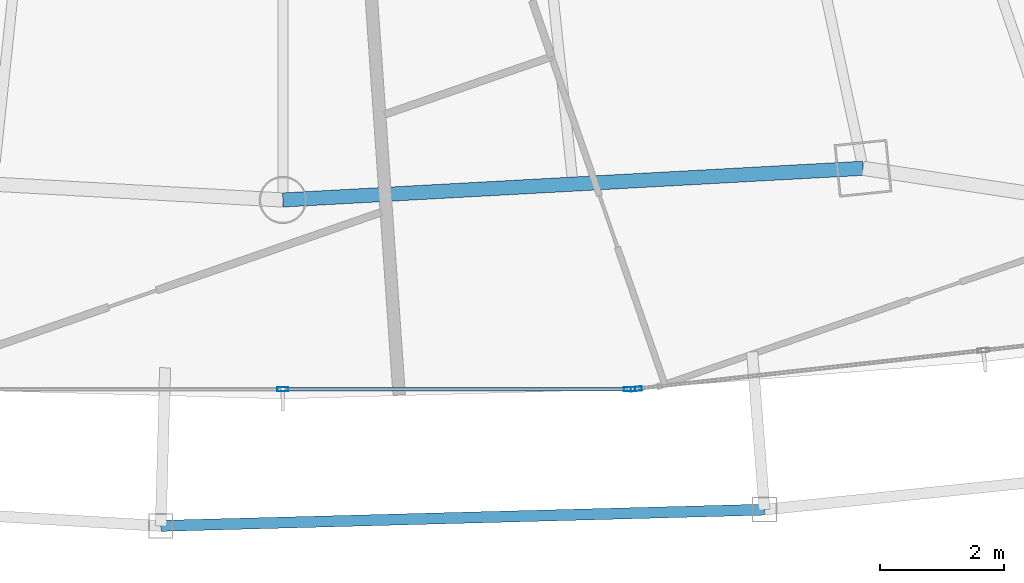
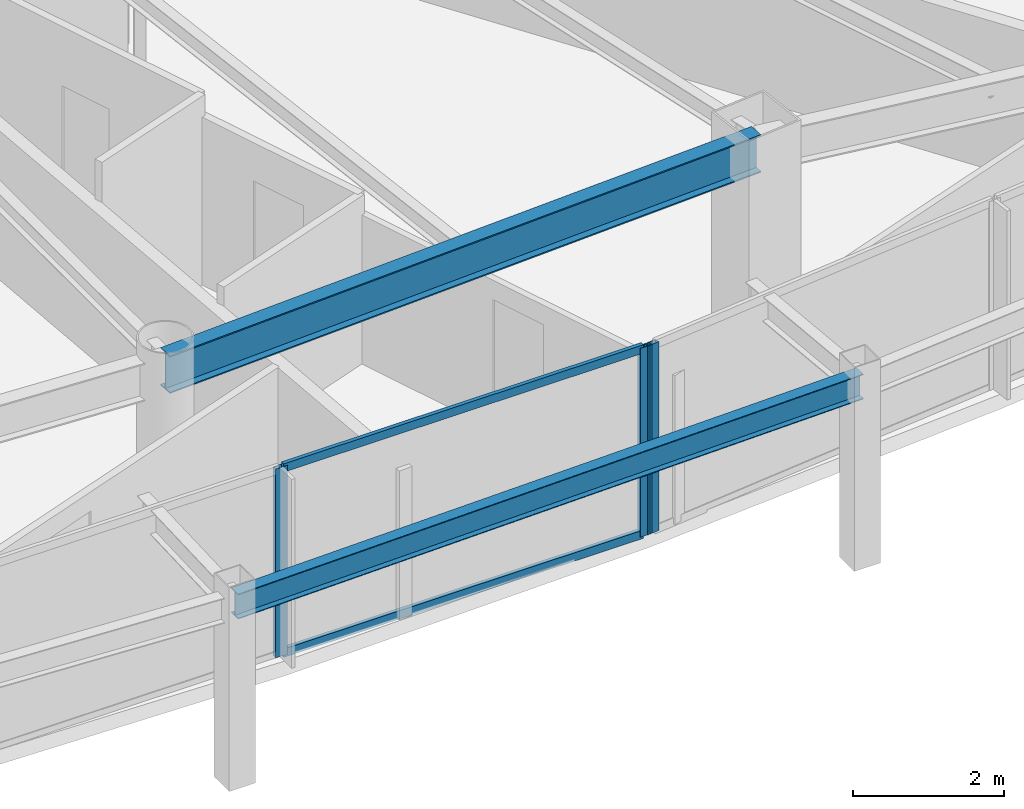
# One storey, part 8 of 29: 5 members, 2 beams, 2 elements without a shape of their own.
"""IFC4 building model written with IfcOpenShell, lengths in metres."""

from ifc_helpers import new_model, si_unit, direction, frame, origin, origin_2d, place, context, subcontext, project, spatial, hollow_rectangle, i_section, extrude, material, layer, layer_set, material_profile, profile_set, type_object, element, aggregate, save


model = new_model("IFC4")

# Units and contexts
model_context = context("Model", 3, precision=1e-05, world=origin(), true_north=direction((0.0, 1.0)))
body_context = subcontext(model_context, "Body", "Model", "MODEL_VIEW")
ifc_project = project(units=[si_unit("LENGTHUNIT", "METRE"), si_unit("AREAUNIT", "SQUARE_METRE"), si_unit("VOLUMEUNIT", "CUBIC_METRE"), si_unit("PLANEANGLEUNIT", "RADIAN"), si_unit("MASSUNIT", "GRAM", prefix="KILO")], contexts=[model_context])

# Site, building, storey
site_placement = place(None, origin())
site = spatial("IfcSite", under=ifc_project, at=site_placement, CompositionType="ELEMENT")
building_placement = place(site_placement, origin())
building = spatial("IfcBuilding", under=site, at=building_placement, Name="Orvanel Arch Residences", CompositionType="ELEMENT")
storey_placement = place(building_placement, frame((0.0, 0.0, 160.550048828125)))
storey = spatial("IfcBuildingStorey", under=building, at=storey_placement, Name="L45", CompositionType="ELEMENT", Elevation=160.550048828125)

# Curtain wall, members
ifc_material_1 = material(Name="Bronze-anodised aluminium AA6063-T6", Category="aluminium")
ifc_layer = layer(ifc_material_1, 0.179931640625)
ifc_layer_set = layer_set([ifc_layer], Name="Bronze-anodised aluminium AA6063-T6")
curtain_wall_type = type_object("IfcCurtainWallType", Name="CW3-MID-SYS", PredefinedType="NOTDEFINED", material=ifc_layer_set)
curtain_wall_1_placement = place(storey_placement, origin())
curtain_wall_1 = element("IfcCurtainWall", 1, at=curtain_wall_1_placement, inside=storey, type_object=curtain_wall_type, Name="L45 CW3-MID-SYS Unitised Curtain Wall", PredefinedType="NOTDEFINED")
ifc_material_profile_1 = material_profile(ifc_material_1, hollow_rectangle(XDim=0.070068359375, YDim=0.179931640625, WallThickness=0.00439453125, at=origin_2d()), Name="ALU180x70x4.5")
ifc_profile_set_1 = profile_set([ifc_material_profile_1], Name="Bronze-anodised aluminium AA6063-T6")
member_type_1 = type_object("IfcMemberType", Name="MUL-180x70", PredefinedType="MULLION", material=ifc_profile_set_1)
member_1_placement = place(storey_placement, frame((33.0, 3.79296875, 0.0), z_axis=(0.0, 0.0, 1.0), x_axis=(0.0, 1.0, 0.0)))
member_1 = element("IfcMember", 2, at=member_1_placement, type_object=member_type_1, Name="CW-S3 mullion 2", PredefinedType="MULLION", context=body_context, shape_type="SweptSolid", body=[
    extrude(hollow_rectangle(XDim=0.070068359375, YDim=0.179931640625, WallThickness=0.00439453125, at=origin_2d()), origin(), (0.0, 0.0, 1.0), 3.06005859375),
])
member_2_placement = place(storey_placement, frame((38.5859375, 3.79296875, 0.0), z_axis=(0.0, 0.0, 1.0), x_axis=(0.0, 1.0, 0.0)))
member_2 = element("IfcMember", 3, at=member_2_placement, type_object=member_type_1, Name="CW-S3 mullion 3", PredefinedType="MULLION", context=body_context, shape_type="SweptSolid", body=[
    extrude(hollow_rectangle(XDim=0.070068359375, YDim=0.179931640625, WallThickness=0.00439453125, at=origin_2d()), origin(), (0.0, 0.0, 1.0), 3.06005859375),
])

# Curtain wall, member
curtain_wall_2_placement = place(storey_placement, origin())
curtain_wall_2 = element("IfcCurtainWall", 4, at=curtain_wall_2_placement, inside=storey, type_object=curtain_wall_type, Name="L45 CW3-MID-SYS Unitised Curtain Wall", PredefinedType="NOTDEFINED")
member_3_placement = place(storey_placement, frame((38.69580078125, 3.798828125, 0.0), z_axis=(0.0, 0.0, 1.0), x_axis=(-0.11060596361, 0.993864337228, 0.0)))
member_3 = element("IfcMember", 5, at=member_3_placement, type_object=member_type_1, Name="CW-S3 mullion 1", PredefinedType="MULLION", context=body_context, shape_type="SweptSolid", body=[
    extrude(hollow_rectangle(XDim=0.070068359375, YDim=0.179931640625, WallThickness=0.00439453125, at=origin_2d()), origin(), (0.0, 0.0, 1.0), 3.06005859375),
])
aggregate(curtain_wall_2, [member_3])

# Beams
ifc_material_2 = material(Name="Structural steel AS/NZS 3679.1 Grade 300 (300 MPa)", Category="steel")
ifc_material_profile_2 = material_profile(ifc_material_2, i_section(OverallWidth=0.177978515625, OverallDepth=0.406005859375, WebThickness=0.0078125, FlangeThickness=0.0126953125, at=origin_2d()), Name="410UB59.7")
ifc_profile_set_2 = profile_set([ifc_material_profile_2], Name="Structural steel AS/NZS 3679.1 Grade 300 (300 MPa)")
beam_type_1 = type_object("IfcBeamType", Name="OB-410UB-EXT", PredefinedType="SPANDREL", material=ifc_profile_set_2)
beam_1_placement = place(storey_placement, frame((31.031005859375, 1.591064453125, 2.85693359375), z_axis=(0.999637838345, 0.026910818419, 0.0), x_axis=(-0.026910818419, 0.999637838345, 0.0)))
element("IfcBeam", 6, at=beam_1_placement, inside=storey, type_object=beam_type_1, Name="L45 Outer Perimeter Floor Ring Beam 06", PredefinedType="SPANDREL", context=body_context, shape_type="SweptSolid", body=[
    extrude(i_section(OverallWidth=0.177978515625, OverallDepth=0.406005859375, WebThickness=0.0078125, FlangeThickness=0.0126953125, at=origin_2d()), origin(), (0.0, 0.0, 1.0), 9.734375),
])
ifc_material_profile_3 = material_profile(ifc_material_2, i_section(OverallWidth=0.22900390625, OverallDepth=0.612060546875, WebThickness=0.011962890625, FlangeThickness=0.01953125, at=origin_2d()), Name="610UB125")
ifc_profile_set_3 = profile_set([ifc_material_profile_3], Name="Structural steel AS/NZS 3679.1 Grade 300 (300 MPa)")
beam_type_2 = type_object("IfcBeamType", Name="SP-610UB", PredefinedType="SPANDREL", material=ifc_profile_set_3)
beam_2_placement = place(storey_placement, frame((33.0, 6.843994140625, 2.75390625), z_axis=(0.998510315598, 0.054563262768, 0.0), x_axis=(-0.054563262768, 0.998510315598, 0.0)))
element("IfcBeam", 7, at=beam_2_placement, inside=storey, type_object=beam_type_2, Name="L45 Perimeter Spandrel Beam 06", PredefinedType="SPANDREL", context=body_context, shape_type="SweptSolid", body=[
    extrude(i_section(OverallWidth=0.22900390625, OverallDepth=0.612060546875, WebThickness=0.011962890625, FlangeThickness=0.01953125, at=origin_2d()), origin(), (0.0, 0.0, 1.0), 9.364990234375),
])

# Member
ifc_material_profile_4 = material_profile(ifc_material_1, hollow_rectangle(XDim=0.06005859375, YDim=0.135009765625, WallThickness=0.00390625, at=origin_2d()), Name="ALU135x60x4")
ifc_profile_set_4 = profile_set([ifc_material_profile_4], Name="Bronze-anodised aluminium AA6063-T6")
member_type_2 = type_object("IfcMemberType", Name="TRN-135x60", PredefinedType="USERDEFINED", material=ifc_profile_set_4)
member_4_placement = place(storey_placement, frame((33.034912109375, 3.79296875, 0.030029296875), z_axis=(1.0, 0.0, 0.0), x_axis=(0.0, 1.0, 0.0)))
member_4 = element("IfcMember", 8, at=member_4_placement, type_object=member_type_2, Name="CW-S3 transom 2.1", ObjectType="TRANSOM", PredefinedType="USERDEFINED", context=body_context, shape_type="SweptSolid", body=[
    extrude(hollow_rectangle(XDim=0.06005859375, YDim=0.135009765625, WallThickness=0.00390625, at=origin_2d()), origin(), (0.0, 0.0, 1.0), 5.51611328125),
])

member_5_placement = place(storey_placement, frame((33.034912109375, 3.79296875, 3.030029296875), z_axis=(1.0, 0.0, 0.0), x_axis=(0.0, 1.0, 0.0)))
member_5 = element("IfcMember", 9, at=member_5_placement, type_object=member_type_2, Name="CW-S3 transom 2.2", ObjectType="TRANSOM", PredefinedType="USERDEFINED", context=body_context, shape_type="SweptSolid", body=[
    extrude(hollow_rectangle(XDim=0.06005859375, YDim=0.135009765625, WallThickness=0.00390625, at=origin_2d()), origin(), (0.0, 0.0, 1.0), 5.51611328125),
])

aggregate(curtain_wall_1, [member_1, member_2, member_4, member_5])

save(model, "model.ifc")
